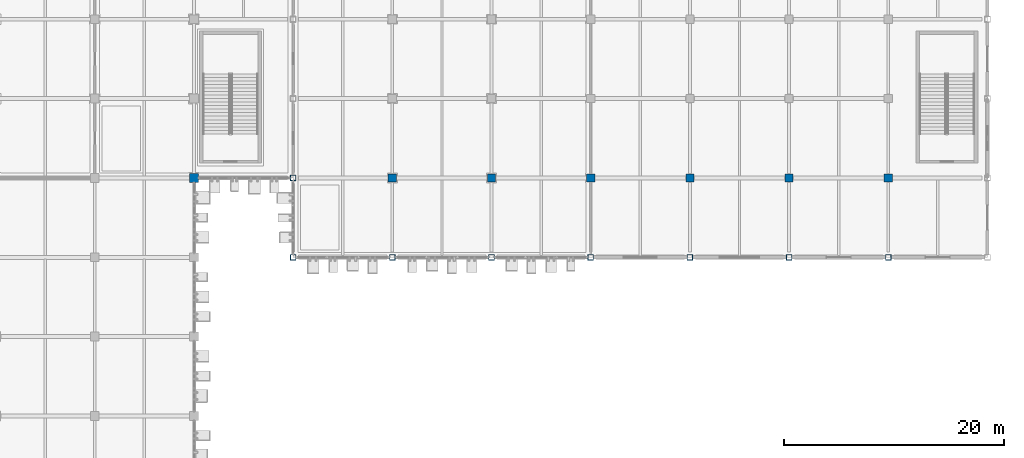
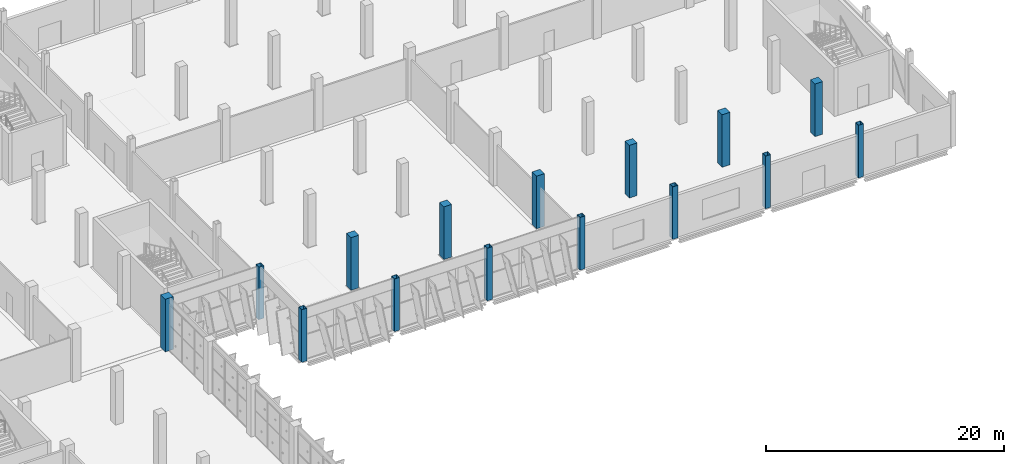
# One storey, part 9 of 137: 15 columns.
"""IFC4 building model written with IfcOpenShell, lengths in metres."""

from ifc_helpers import new_model, si_unit, direction, frame, origin, origin_2d, place, context, subcontext, project, spatial, rectangle, hollow_rectangle, extrude, material, material_profile, profile_set, type_object, element, save


model = new_model("IFC4")

# Units and contexts
model_context = context("Model", 3, precision=1e-05, world=origin(), true_north=direction((0.0, 1.0)))
body_context = subcontext(model_context, "Body", "Model", "MODEL_VIEW")
ifc_project = project(units=[si_unit("LENGTHUNIT", "METRE"), si_unit("AREAUNIT", "SQUARE_METRE"), si_unit("VOLUMEUNIT", "CUBIC_METRE"), si_unit("PLANEANGLEUNIT", "RADIAN"), si_unit("MASSUNIT", "GRAM", prefix="KILO")], contexts=[model_context])

# Site, building, storey
site_placement = place(None, origin())
site = spatial("IfcSite", under=ifc_project, at=site_placement, CompositionType="ELEMENT")
building_placement = place(site_placement, origin())
building = spatial("IfcBuilding", under=site, at=building_placement, Name="Celestram Park Convention Centre", CompositionType="ELEMENT")
storey_placement = place(building_placement, origin())
storey = spatial("IfcBuildingStorey", under=building, at=storey_placement, Name="L00", CompositionType="ELEMENT", Elevation=0.0)

# Columns
ifc_material_1 = material(Name="Steel ASTM A500 Grade C", Category="steel")
ifc_material_profile_1 = material_profile(ifc_material_1, hollow_rectangle(XDim=0.5, YDim=0.5, WallThickness=0.02001953125, at=origin_2d()), Name="HSS500X500X20")
ifc_profile_set_1 = profile_set([ifc_material_profile_1], Name="Steel ASTM A500 Grade C")
column_type_1 = type_object("IfcColumnType", Name="STR-COL-HSS500", PredefinedType="COLUMN", material=ifc_profile_set_1)
for number, where, z_axis, x_axis, name in (
    (1, (153.0, 115.199951171875, 0.0), (0.0, 0.0, 1.0), (1.0, 0.0, 0.0), "Column CN-L00-242"),
    (2, (153.0, 122.39990234375, 0.0), (0.0, 0.0, 1.0), (1.0, 0.0, 0.0), "Column CN-L00-243"),
    (3, (162.0, 115.199951171875, 0.0), (0.0, 0.0, 1.0), (1.0, 0.0, 0.0), "Column CN-L00-256"),
    (4, (171.0, 115.199951171875, 0.0), (0.0, 0.0, 1.0), (1.0, 0.0, 0.0), "Column CN-L00-270"),
    (5, (180.0, 115.199951171875, 0.0), (0.0, 0.0, 1.0), (1.0, 0.0, 0.0), "Column CN-L00-284"),
    (6, (189.0, 115.199951171875, 0.0), (0.0, 0.0, 1.0), (1.0, 0.0, 0.0), "Column CN-L00-298"),
    (7, (198.0, 115.199951171875, 0.0), (0.0, 0.0, 1.0), (1.0, 0.0, 0.0), "Column CN-L00-312"),
    (8, (207.0, 115.199951171875, 0.0), (0.0, 0.0, 1.0), (1.0, 0.0, 0.0), "Column CN-L00-326"),
):
    element("IfcColumn", number, at=place(storey_placement, frame(where, z_axis=z_axis, x_axis=x_axis)), inside=storey, type_object=column_type_1, Name=name, PredefinedType="COLUMN", context=body_context, shape_type="SweptSolid", body=[
        extrude(hollow_rectangle(XDim=0.5, YDim=0.5, WallThickness=0.02001953125, at=origin_2d()), origin(), (0.0, 0.0, 1.0), 5.39990234375),
    ])
ifc_material_2 = material(Name="Concrete C40/50", Category="concrete")
ifc_material_profile_2 = material_profile(ifc_material_2, rectangle(XDim=0.75, YDim=0.75, at=origin_2d()), Name="RC750X750")
ifc_profile_set_2 = profile_set([ifc_material_profile_2], Name="Concrete C40/50")
column_type_2 = type_object("IfcColumnType", Name="STR-COL-RC750", PredefinedType="COLUMN", material=ifc_profile_set_2)
for number, where, z_axis, x_axis, name in (
    (9, (162.0, 122.39990234375, 0.0), (0.0, 0.0, 1.0), (1.0, 0.0, 0.0), "Column CN-L00-257"),
    (10, (171.0, 122.39990234375, 0.0), (0.0, 0.0, 1.0), (1.0, 0.0, 0.0), "Column CN-L00-271"),
    (11, (180.0, 122.39990234375, 0.0), (0.0, 0.0, 1.0), (1.0, 0.0, 0.0), "Column CN-L00-285"),
    (12, (189.0, 122.39990234375, 0.0), (0.0, 0.0, 1.0), (1.0, 0.0, 0.0), "Column CN-L00-299"),
    (13, (198.0, 122.39990234375, 0.0), (0.0, 0.0, 1.0), (1.0, 0.0, 0.0), "Column CN-L00-313"),
    (14, (207.0, 122.39990234375, 0.0), (0.0, 0.0, 1.0), (1.0, 0.0, 0.0), "Column CN-L00-327"),
):
    element("IfcColumn", number, at=place(storey_placement, frame(where, z_axis=z_axis, x_axis=x_axis)), inside=storey, type_object=column_type_2, Name=name, PredefinedType="COLUMN", context=body_context, shape_type="SweptSolid", body=[
        extrude(rectangle(XDim=0.75, YDim=0.75, at=origin_2d()), origin(), (0.0, 0.0, 1.0), 5.39990234375),
    ])
ifc_material_profile_3 = material_profile(ifc_material_2, rectangle(XDim=0.800048828125, YDim=0.800048828125, at=origin_2d()), Name="RC800X800")
ifc_profile_set_3 = profile_set([ifc_material_profile_3], Name="Concrete C40/50")
column_type_3 = type_object("IfcColumnType", Name="STR-COL-RC800", PredefinedType="COLUMN", material=ifc_profile_set_3)
column_placement = place(storey_placement, frame((144.0, 122.39990234375, 0.0), z_axis=(0.0, 0.0, 1.0), x_axis=(1.0, 0.0, 0.0)))
element("IfcColumn", 15, at=column_placement, inside=storey, type_object=column_type_3, Name="Column CN-L00-229", PredefinedType="COLUMN", context=body_context, shape_type="SweptSolid", body=[
    extrude(rectangle(XDim=0.800048828125, YDim=0.800048828125, at=origin_2d()), origin(), (0.0, 0.0, 1.0), 5.39990234375),
])

save(model, "model.ifc")
